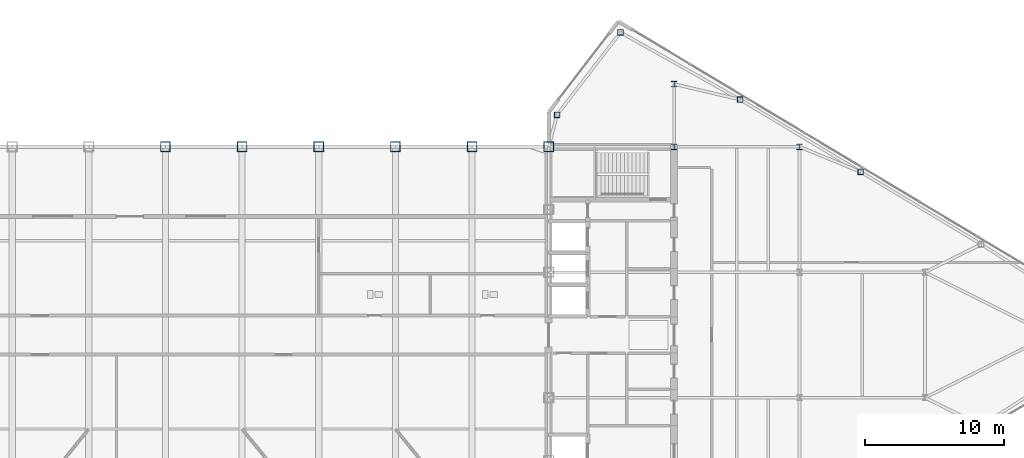
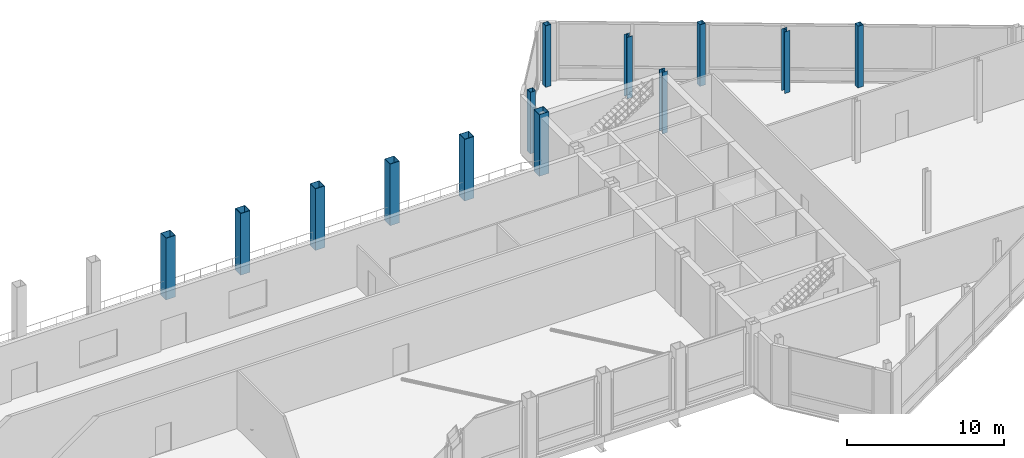
# One storey, part 6 of 28: 13 columns.
"""IFC4 building model written with IfcOpenShell, lengths in metres."""

import ifcopenshell
import ifcopenshell.guid

model = None  # the IFC model being written
_history = None  # IfcOwnerHistory: only IFC2X3 demands one
_inside = {}  # id of a spatial element -> (the spatial element, [elements in it])
_under = {}  # id of a project, library or spatial element -> (it, [spatial elements below it])
_declared = {}  # id of a project -> (the project, [libraries it declares])
_typed = {}  # id of a type object -> (the type object, [elements of that type])
_made_of = {}  # id of a material, layer set ... -> (it, [elements and type objects made of it])


def new_model(schema):
    """Start an empty IFC model of exactly this schema.

    Asked for "IFC4X3", IfcOpenShell would pick the latest addendum, in which some entities
    have other attributes; the version numbers below select the first issue.
    IFC2X3 requires an IfcOwnerHistory on every rooted entity: one is made here for all.
    """
    global model, _history
    if schema == "IFC4X3":
        model = ifcopenshell.file(schema_version=(4, 3, 0, 0))
    else:
        model = ifcopenshell.file(schema=schema)
    _inside.clear()
    _under.clear()
    _declared.clear()
    _typed.clear()
    _made_of.clear()
    _history = None
    if model.schema == "IFC2X3":
        org = make("IfcOrganization", Name="unknown")
        user = make(
            "IfcPersonAndOrganization",
            ThePerson=make("IfcPerson", FamilyName="unknown"),
            TheOrganization=org,
        )
        app = make(
            "IfcApplication",
            ApplicationDeveloper=org,
            Version="unknown",
            ApplicationFullName="unknown",
            ApplicationIdentifier="unknown",
        )
        _history = make(
            "IfcOwnerHistory",
            OwningUser=user,
            OwningApplication=app,
            ChangeAction="ADDED",
            CreationDate=0,
        )
    return model


def make(cls, **values):
    """One entity of the class cls with the attributes given. An attribute that is None is left unset."""
    return model.create_entity(
        cls, **{name: value for name, value in values.items() if value is not None}
    )


def rooted(cls, **values):
    """An entity with a GlobalId (a new one), such as an element, a storey or a relation."""
    return make(cls, GlobalId=ifcopenshell.guid.new(), OwnerHistory=_history, **values)


def si_unit(unit_type, name, prefix=None):
    """IfcSIUnit, for example si_unit("LENGTHUNIT", "METRE", prefix="MILLI")."""
    return make("IfcSIUnit", UnitType=unit_type, Prefix=prefix, Name=name)


def assignment(units):
    """IfcUnitAssignment: the units of a project."""
    return None if units is None else make("IfcUnitAssignment", Units=units)


def point(xyz):
    """IfcCartesianPoint."""
    return None if xyz is None else make("IfcCartesianPoint", Coordinates=xyz)


def direction(xyz):
    """IfcDirection."""
    return None if xyz is None else make("IfcDirection", DirectionRatios=xyz)


def frame(location, z_axis=None, x_axis=None):
    """IfcAxis2Placement3D, a coordinate frame: its origin and axes. An axis left out is left unset."""
    return make(
        "IfcAxis2Placement3D",
        Location=point(location),
        Axis=direction(z_axis),
        RefDirection=direction(x_axis),
    )


def frame_2d(location, x_axis=None):
    """IfcAxis2Placement2D, a coordinate frame in the plane: its origin and x axis."""
    return make(
        "IfcAxis2Placement2D", Location=point(location), RefDirection=direction(x_axis)
    )


def origin():
    """The frame at (0, 0, 0) with its axes left unset."""
    return frame((0.0, 0.0, 0.0))


def origin_2d():
    """The frame at (0, 0) in the plane with its x axis left unset."""
    return frame_2d((0.0, 0.0))


def place(relative_to, where):
    """IfcLocalPlacement: puts the frame where relative to a parent placement (None: the world)."""
    return make(
        "IfcLocalPlacement", PlacementRelTo=relative_to, RelativePlacement=where
    )


def context(
    kind, dimensions, precision=None, world=None, true_north=None, identifier=None
):
    """IfcGeometricRepresentationContext, for example the 3D "Model" context."""
    return make(
        "IfcGeometricRepresentationContext",
        ContextIdentifier=identifier,
        ContextType=kind,
        CoordinateSpaceDimension=dimensions,
        Precision=precision,
        WorldCoordinateSystem=world,
        TrueNorth=true_north,
    )


def subcontext(parent, identifier, kind, view, scale=None):
    """IfcGeometricRepresentationSubContext, for example "Body" below "Model"."""
    return make(
        "IfcGeometricRepresentationSubContext",
        ContextIdentifier=identifier,
        ContextType=kind,
        ParentContext=parent,
        TargetScale=scale,
        TargetView=view,
    )


def project(units=None, contexts=None):
    """IfcProject with its units and contexts."""
    return rooted(
        "IfcProject",
        Name="project",
        RepresentationContexts=contexts,
        UnitsInContext=assignment(units),
    )


def spatial(cls, under=None, at=None, **own):
    """A site, building, storey or space (cls), placed at a placement, below another one or the project."""
    s = rooted(cls, ObjectPlacement=at, **own)
    if under is not None:
        _under.setdefault(under.id(), (under, []))[1].append(s)
    return s


def profile(cls, at=None, kind="AREA", **sizes):
    """A parametric profile (cls). Its sizes go by their IFC names, for example OverallWidth=200.0."""
    return make(cls, ProfileType=kind, Position=at, **sizes)


def hollow_rectangle(**sizes):
    """IfcRectangleHollowProfileDef."""
    return profile("IfcRectangleHollowProfileDef", **sizes)


def i_section(**sizes):
    """IfcIShapeProfileDef."""
    return profile("IfcIShapeProfileDef", **sizes)


def extrude(swept, where, along, depth):
    """IfcExtrudedAreaSolid: the profile swept, set in the frame where, extruded along a direction by depth."""
    return make(
        "IfcExtrudedAreaSolid",
        SweptArea=swept,
        Position=where,
        ExtrudedDirection=direction(along),
        Depth=depth,
    )


def shape(context_of_items, identifier, shape_type, items):
    """IfcShapeRepresentation: the items that make up one representation, for example the "Body"."""
    return make(
        "IfcShapeRepresentation",
        ContextOfItems=context_of_items,
        RepresentationIdentifier=identifier,
        RepresentationType=shape_type,
        Items=items,
    )


def source(mapping_origin, context_of_items, identifier, shape_type, items):
    """IfcRepresentationMap: a shape defined once, which mapped items show again and again."""
    return make(
        "IfcRepresentationMap",
        MappingOrigin=mapping_origin,
        MappedRepresentation=shape(context_of_items, identifier, shape_type, items),
    )


def transform(
    local_origin,
    x_axis=None,
    y_axis=None,
    z_axis=None,
    scale=None,
    scale2=None,
    scale3=None,
    uniform=True,
):
    """IfcCartesianTransformationOperator3D, or its non-uniform kind. x_axis, y_axis, z_axis: its Axis1, 2, 3."""
    if uniform:
        return make(
            "IfcCartesianTransformationOperator3D",
            Axis1=direction(x_axis),
            Axis2=direction(y_axis),
            LocalOrigin=point(local_origin),
            Scale=scale,
            Axis3=direction(z_axis),
        )
    return make(
        "IfcCartesianTransformationOperator3DnonUniform",
        Axis1=direction(x_axis),
        Axis2=direction(y_axis),
        LocalOrigin=point(local_origin),
        Scale=scale,
        Axis3=direction(z_axis),
        Scale2=scale2,
        Scale3=scale3,
    )


def mapped(mapping_source, mapping_target):
    """IfcMappedItem: shows the shape of a source again, moved by a transform."""
    return make(
        "IfcMappedItem", MappingSource=mapping_source, MappingTarget=mapping_target
    )


def material(Name=None, Category=None):
    """IfcMaterial."""
    return make("IfcMaterial", Name=Name, Category=Category)


def material_profile(
    of_material, cross_section, Name=None, Category=None, Priority=None
):
    """IfcMaterialProfile: a cross section and its material."""
    return make(
        "IfcMaterialProfile",
        Name=Name,
        Material=of_material,
        Profile=cross_section,
        Priority=Priority,
        Category=Category,
    )


def profile_set(profiles, Name=None, composite=None):
    """IfcMaterialProfileSet."""
    return make(
        "IfcMaterialProfileSet",
        Name=Name,
        MaterialProfiles=profiles,
        CompositeProfile=composite,
    )


def made_of(thing, what):
    """Note that an element or type object is made of a material, layer set ...; save() writes the relation."""
    if what is not None:
        _made_of.setdefault(what.id(), (what, []))[1].append(thing)
    return thing


def type_object(cls, material=None, **own):
    """A type object (cls), such as IfcWallType, which elements share."""
    return made_of(rooted(cls, **own), material)


def type_shapes(of_type, sources):
    """Give a type object the sources (RepresentationMaps) that its elements show as mapped items."""
    of_type.RepresentationMaps = sources


def element(
    cls,
    number,
    at=None,
    inside=None,
    cuts=None,
    type_object=None,
    material=None,
    context=None,
    identifier="Body",
    shape_type=None,
    held_by="IfcProductDefinitionShape",
    body=None,
    shapes=None,
    **own,
):
    """One element of the class cls, such as IfcWall. Its Tag is "e" and its number.

    at: its placement. inside: the storey or other place that contains it. cuts: it is an
    opening in that element (IfcRelVoidsElement). A single representation is given by context,
    identifier, shape_type and body (its items); several are given by shapes. held_by: the class
    of the entity that holds the representations. save() writes the other relations.
    """
    e = rooted(cls, Tag="e%d" % number, ObjectPlacement=at, **own)
    if body is not None:
        shapes = [shape(context, identifier, shape_type, body)]
    if shapes is not None:
        e.Representation = make(held_by, Representations=shapes)
    if inside is not None:
        _inside.setdefault(inside.id(), (inside, []))[1].append(e)
    if cuts is not None:
        rooted(
            "IfcRelVoidsElement", RelatingBuildingElement=cuts, RelatedOpeningElement=e
        )
    if type_object is not None:
        _typed.setdefault(type_object.id(), (type_object, []))[1].append(e)
    return made_of(e, material)


def aggregate(whole, parts):
    """IfcRelAggregates: a whole, such as a stair, and the parts it consists of."""
    return rooted("IfcRelAggregates", RelatingObject=whole, RelatedObjects=parts)


def save(model, path):
    """Write the relations noted so far, then the file.

    IfcRelAggregates (storeys below a building ...), IfcRelContainedInSpatialStructure (elements
    in a storey), IfcRelDefinesByType, IfcRelAssociatesMaterial and IfcRelDeclares: one each for
    every whole, place, type object, material and project.
    """
    for whole, parts in _under.values():
        aggregate(whole, parts)
    for where, things in _inside.values():
        rooted(
            "IfcRelContainedInSpatialStructure",
            RelatedElements=things,
            RelatingStructure=where,
        )
    for kind, things in _typed.values():
        rooted("IfcRelDefinesByType", RelatedObjects=things, RelatingType=kind)
    for what, things in _made_of.values():
        rooted("IfcRelAssociatesMaterial", RelatedObjects=things, RelatingMaterial=what)
    for by, libraries in _declared.values():
        rooted("IfcRelDeclares", RelatingContext=by, RelatedDefinitions=libraries)
    model.write(path)


model = new_model("IFC4")

# Units and contexts
model_context = context("Model", 3, precision=1e-05, world=origin(), true_north=direction((0.0, 1.0)))
body_context = subcontext(model_context, "Body", "Model", "MODEL_VIEW")
ifc_project = project(units=[si_unit("LENGTHUNIT", "METRE"), si_unit("AREAUNIT", "SQUARE_METRE"), si_unit("VOLUMEUNIT", "CUBIC_METRE"), si_unit("PLANEANGLEUNIT", "RADIAN"), si_unit("MASSUNIT", "GRAM", prefix="KILO")], contexts=[model_context])

# Site, building, storey
site_placement = place(None, origin())
site = spatial("IfcSite", under=ifc_project, at=site_placement, CompositionType="ELEMENT")
building_placement = place(site_placement, origin())
building = spatial("IfcBuilding", under=site, at=building_placement, Name="Seokmaru Belvedere", CompositionType="ELEMENT")
storey_placement = place(building_placement, frame((0.0, 0.0, 274.199951171875)))
storey = spatial("IfcBuildingStorey", under=building, at=storey_placement, Name="L72", CompositionType="ELEMENT", Elevation=274.199951171875)

# Columns
ifc_material = material(Name="Steel SM355 (355 MPa)", Category="steel")
ifc_material_profile_1 = material_profile(ifc_material, hollow_rectangle(XDim=0.699951171875, YDim=0.699951171875, WallThickness=0.030029296875, at=origin_2d()), Name="BOX-700x700x30")
ifc_profile_set_1 = profile_set([ifc_material_profile_1], Name="Steel SM355 (355 MPa)")
column_type_1 = type_object("IfcColumnType", Name="Upper Spine Column BOX-700", PredefinedType="COLUMN", material=ifc_profile_set_1)
shared_shape_1 = source(origin(), body_context, "Body", "SweptSolid", [
    extrude(hollow_rectangle(XDim=0.699951171875, YDim=0.699951171875, WallThickness=0.030029296875, at=origin_2d()), origin(), (0.0, 0.0, 1.0), 4.800048828125),
])
type_shapes(column_type_1, [shared_shape_1])
for number, where, z_axis, x_axis, name in (
    (1, (27.5, 13.5, 0.0), (0.0, 0.0, 1.0), (1.0, 0.0, 0.0), "L72 Column ES6"),
    (2, (0.0, 13.5, 0.0), (0.0, 0.0, 1.0), (1.0, 0.0, 0.0), "L72 Column BRN_5"),
    (3, (5.5, 13.5, 0.0), (0.0, 0.0, 1.0), (1.0, 0.0, 0.0), "L72 Column BRN_6"),
    (4, (11.0, 13.5, 0.0), (0.0, 0.0, 1.0), (1.0, 0.0, 0.0), "L72 Column BRN_7"),
    (5, (16.5, 13.5, 0.0), (0.0, 0.0, 1.0), (1.0, 0.0, 0.0), "L72 Column BRN_8"),
    (6, (22.0, 13.5, 0.0), (0.0, 0.0, 1.0), (1.0, 0.0, 0.0), "L72 Column BRN_9"),
):
    element("IfcColumn", number, at=place(storey_placement, frame(where, z_axis=z_axis, x_axis=x_axis)), inside=storey, type_object=column_type_1, Name=name, PredefinedType="COLUMN", context=body_context, shape_type="MappedRepresentation", body=[
        mapped(shared_shape_1, transform((0.0, 0.0, 0.0), scale=1.0)),
    ])
ifc_material_profile_2 = material_profile(ifc_material, hollow_rectangle(XDim=0.39990234375, YDim=0.39990234375, WallThickness=0.01611328125, at=origin_2d()), Name="HSS-400x400x16")
ifc_profile_set_2 = profile_set([ifc_material_profile_2], Name="Steel SM355 (355 MPa)")
column_type_2 = type_object("IfcColumnType", Name="Perimeter Facet Column HSS-400", PredefinedType="COLUMN", material=ifc_profile_set_2)
shared_shape_2 = source(origin(), body_context, "Body", "SweptSolid", [
    extrude(hollow_rectangle(XDim=0.39990234375, YDim=0.39990234375, WallThickness=0.01611328125, at=origin_2d()), origin(), (0.0, 0.0, 1.0), 4.800048828125),
])
type_shapes(column_type_2, [shared_shape_2])
for number, where, z_axis, x_axis, name in (
    (7, (32.649658203125, 21.71044921875, 0.0), (0.0, 0.0, 1.0), (1.0, 0.0, 0.0), "L72 Column EF4"),
    (8, (28.10009765625, 15.7958984375, 0.0), (0.0, 0.0, 1.0), (1.0, 0.0, 0.0), "L72 Column EF5"),
    (9, (41.229736328125, 16.888916015625, 0.0), (0.0, 0.0, 1.0), (1.0, 0.0, 0.0), "L72 Column EFLK_N1"),
    (10, (49.8798828125, 11.698974609375, 0.0), (0.0, 0.0, 1.0), (1.0, 0.0, 0.0), "L72 Column EFLK_N2"),
):
    element("IfcColumn", number, at=place(storey_placement, frame(where, z_axis=z_axis, x_axis=x_axis)), inside=storey, type_object=column_type_2, Name=name, PredefinedType="COLUMN", context=body_context, shape_type="MappedRepresentation", body=[
        mapped(shared_shape_2, transform((0.0, 0.0, 0.0), scale=1.0)),
    ])
ifc_material_profile_3 = material_profile(ifc_material, i_section(OverallWidth=0.39990234375, OverallDepth=0.39990234375, WebThickness=0.012939453125, FlangeThickness=0.02099609375, at=origin_2d()), Name="H-400x400x13x21")
ifc_profile_set_3 = profile_set([ifc_material_profile_3], Name="Steel SM355 (355 MPa)")
column_type_3 = type_object("IfcColumnType", Name="Observatory Column H-400", PredefinedType="COLUMN", material=ifc_profile_set_3)
shared_shape_3 = source(origin(), body_context, "Body", "SweptSolid", [
    extrude(i_section(OverallWidth=0.39990234375, OverallDepth=0.39990234375, WebThickness=0.012939453125, FlangeThickness=0.02099609375, at=origin_2d()), origin(), (0.0, 0.0, 1.0), 4.800048828125),
])
type_shapes(column_type_3, [shared_shape_3])
for number, where, z_axis, x_axis, name in (
    (11, (36.5, 13.5, 0.0), (0.0, 0.0, 1.0), (1.0, 0.0, 0.0), "L72 Column EC3"),
    (12, (36.5, 18.0, 0.0), (0.0, 0.0, 1.0), (1.0, 0.0, 0.0), "L72 Column EC4"),
    (13, (45.5, 13.5, 0.0), (0.0, 0.0, 1.0), (1.0, 0.0, 0.0), "L72 Column EG5_4"),
):
    element("IfcColumn", number, at=place(storey_placement, frame(where, z_axis=z_axis, x_axis=x_axis)), inside=storey, type_object=column_type_3, Name=name, PredefinedType="COLUMN", context=body_context, shape_type="MappedRepresentation", body=[
        mapped(shared_shape_3, transform((0.0, 0.0, 0.0), scale=1.0)),
    ])

save(model, "model.ifc")
